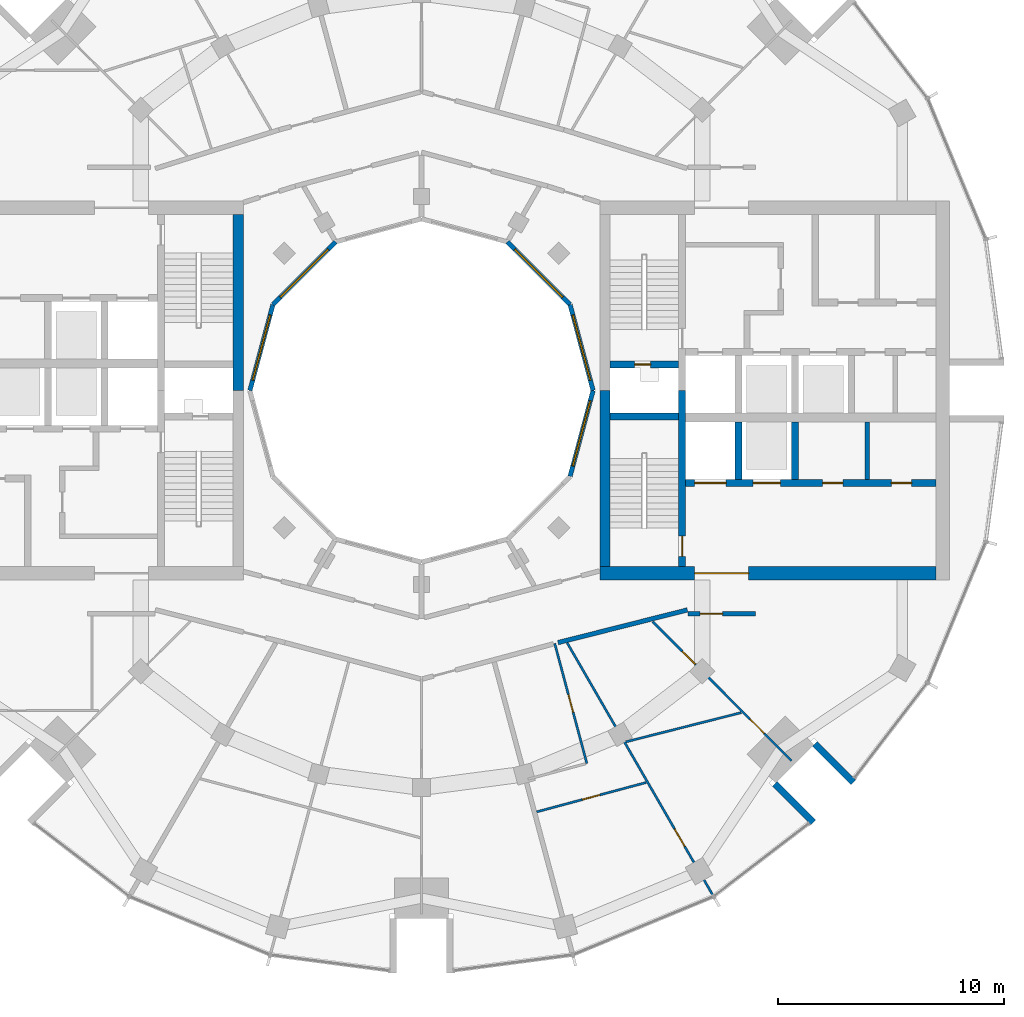
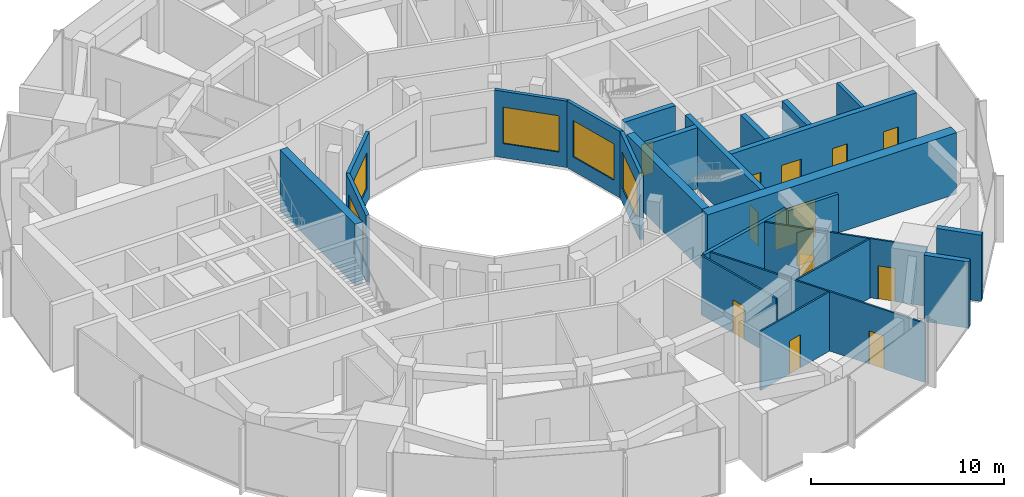
# One storey, part 10 of 15: 24 walls, 13 doors, 5 windows, 18 openings.
"""IFC4 building model written with IfcOpenShell, lengths in metres."""

from ifc_helpers import new_model, si_unit, direction, frame, frame_2d, origin, place, context, subcontext, project, spatial, rectangle, extrude, material, layer, layer_set, type_object, element, fill, save


model = new_model("IFC4")

# Units and contexts
model_context = context("Model", 3, precision=1e-05, world=origin(), true_north=direction((0.0, 1.0)))
body_context = subcontext(model_context, "Body", "Model", "MODEL_VIEW")
ifc_project = project(units=[si_unit("LENGTHUNIT", "METRE"), si_unit("AREAUNIT", "SQUARE_METRE"), si_unit("VOLUMEUNIT", "CUBIC_METRE"), si_unit("PLANEANGLEUNIT", "RADIAN"), si_unit("MASSUNIT", "GRAM", prefix="KILO")], contexts=[model_context])

# Site, building, storey
site_placement = place(None, origin())
site = spatial("IfcSite", under=ifc_project, at=site_placement, CompositionType="ELEMENT")
building_placement = place(site_placement, origin())
building = spatial("IfcBuilding", under=site, at=building_placement, Name="Torre Brocal", CompositionType="ELEMENT")
storey_placement = place(building_placement, frame((0.0, 0.0, 241.5)))
storey = spatial("IfcBuildingStorey", under=building, at=storey_placement, Name="L55", CompositionType="ELEMENT", Elevation=241.5)

# Wall
ifc_material_1 = material(Name="Masonry block", Category="masonry")
ifc_layer_1 = layer(ifc_material_1, 0.199951171875)
ifc_layer_set_1 = layer_set([ifc_layer_1], Name="Masonry block")
wall_type_1 = type_object("IfcWallType", Name="CORE PARTITION 200", PredefinedType="PARTITIONING", material=ifc_layer_set_1)
wall_1_placement = place(storey_placement, frame((99.75, 71.050048828125, 0.0), z_axis=(0.0, 0.0, 1.0), x_axis=(0.0, 1.0, 0.0)))
element("IfcWall", 1, at=wall_1_placement, inside=storey, type_object=wall_type_1, Name="Wall CP200", PredefinedType="PARTITIONING", context=body_context, shape_type="SweptSolid", body=[
    extrude(rectangle(XDim=2.550048828125, YDim=0.199951171875, at=frame_2d((1.27490234375, 0.0))), origin(), (0.0, 0.0, 1.0), 3.8798828125),
])

# Wall, opening, door
ifc_material_2 = material(Name="Concrete C60", Category="concrete")
ifc_layer_2 = layer(ifc_material_2, 0.300048828125)
ifc_layer_set_2 = layer_set([ifc_layer_2], Name="Concrete C60")
wall_type_2 = type_object("IfcWallType", Name="CORE WALL 300 C60", PredefinedType="SHEAR", material=ifc_layer_set_2)
wall_2_placement = place(storey_placement, frame((91.550048828125, 67.199951171875, 0.0), z_axis=(0.0, 0.0, 1.0), x_axis=(0.0, 1.0, 0.0)))
wall_2 = element("IfcWall", 2, at=wall_2_placement, inside=storey, type_object=wall_type_2, Name="Wall CW300-60", PredefinedType="SHEAR", context=body_context, shape_type="SweptSolid", body=[
    extrude(rectangle(XDim=7.800048828125, YDim=0.300048828125, at=frame_2d((3.89990234375, 0.0))), origin(), (0.0, 0.0, 1.0), 3.8798828125),
])
opening_1_placement = place(wall_2_placement, frame((0.449951171875, 0.0, 0.0)))
opening_1 = element("IfcOpeningElement", 3, at=opening_1_placement, cuts=wall_2, Name="Opening E-D03", PredefinedType="OPENING", context=body_context, shape_type="SweptSolid", body=[
    extrude(rectangle(XDim=0.89990234375, YDim=2.10009765625, at=frame_2d((0.449951171875, 1.050048828125))), frame((0.0, 0.159912109375, 0.0), z_axis=(0.0, -1.0, 0.0), x_axis=(1.0, 0.0, 0.0)), (0.0, 0.0, 1.0), 0.320068359375),
])
ifc_material_3 = material(Name="Steel A653", Category="steel")
door_type_1 = type_object("IfcDoorType", Name="STAIR DOOR FD120 900X2100", OperationType="SINGLE_SWING_RIGHT", PredefinedType="DOOR", material=ifc_material_3)
door_1_placement = place(opening_1_placement, origin())
door_1 = element("IfcDoor", 4, at=door_1_placement, inside=storey, type_object=door_type_1, Name="Door E-D03", OperationType="SINGLE_SWING_LEFT", OverallHeight=2.10009765625, OverallWidth=0.89990234375, PredefinedType="DOOR", context=body_context, shape_type="SweptSolid", body=[
    extrude(rectangle(XDim=0.89990234375, YDim=2.10009765625, at=frame_2d((0.449951171875, 1.050048828125))), frame((0.0, 0.02490234375, 0.0), z_axis=(0.0, -1.0, 0.0), x_axis=(1.0, 0.0, 0.0)), (0.0, 0.0, 1.0), 0.050048828125),
])
fill(opening_1, door_1)

wall_3_placement = place(storey_placement, frame((88.35009765625, 76.14990234375, 0.0), z_axis=(0.0, 0.0, 1.0), x_axis=(1.0, 0.0, 0.0)))
wall_3 = element("IfcWall", 5, at=wall_3_placement, inside=storey, type_object=wall_type_2, Name="Wall CW300-60", PredefinedType="SHEAR", context=body_context, shape_type="SweptSolid", body=[
    extrude(rectangle(XDim=3.0498046875, YDim=0.300048828125, at=frame_2d((1.52490234375, 0.0))), origin(), (0.0, 0.0, 1.0), 3.8798828125),
])
opening_2_placement = place(wall_3_placement, frame((1.10009765625, 0.0, 0.0)))
opening_2 = element("IfcOpeningElement", 6, at=opening_2_placement, cuts=wall_3, Name="Opening E-D01", PredefinedType="OPENING", context=body_context, shape_type="SweptSolid", body=[
    extrude(rectangle(XDim=0.699951171875, YDim=2.0, at=frame_2d((0.35009765625, 1.0))), frame((0.0, 0.159912109375, 0.0), z_axis=(0.0, -1.0, 0.0), x_axis=(1.0, 0.0, 0.0)), (0.0, 0.0, 1.0), 0.320068359375),
])
ifc_material_4 = material(Name="Steel A653", Category="steel")
door_type_2 = type_object("IfcDoorType", Name="RISER DOOR FD120 700X2000", OperationType="SINGLE_SWING_LEFT", PredefinedType="DOOR", material=ifc_material_4)
door_2_placement = place(opening_2_placement, frame((0.699951171875, 0.0, 0.0), z_axis=(0.0, 0.0, 1.0), x_axis=(-1.0, 0.0, 0.0)))
door_2 = element("IfcDoor", 7, at=door_2_placement, inside=storey, type_object=door_type_2, Name="Door E-D01", OperationType="SINGLE_SWING_RIGHT", OverallHeight=2.0, OverallWidth=0.699951171875, PredefinedType="DOOR", context=body_context, shape_type="SweptSolid", body=[
    extrude(rectangle(XDim=0.699951171875, YDim=2.0, at=frame_2d((0.35009765625, 1.0))), frame((0.0, 0.02490234375, 0.0), z_axis=(0.0, -1.0, 0.0), x_axis=(1.0, 0.0, 0.0)), (0.0, 0.0, 1.0), 0.050048828125),
])
fill(opening_2, door_2)

# Wall
wall_4_placement = place(storey_placement, frame((88.35009765625, 73.85009765625, 0.0), z_axis=(0.0, 0.0, 1.0), x_axis=(1.0, 0.0, 0.0)))
element("IfcWall", 8, at=wall_4_placement, inside=storey, type_object=wall_type_2, Name="Wall CW300-60", PredefinedType="SHEAR", context=body_context, shape_type="SweptSolid", body=[
    extrude(rectangle(XDim=3.0498046875, YDim=0.300048828125, at=frame_2d((1.52490234375, 0.0))), origin(), (0.0, 0.0, 1.0), 3.8798828125),
])

# Wall, openings, doors
wall_5_placement = place(storey_placement, frame((91.699951171875, 70.89990234375, 0.0), z_axis=(0.0, 0.0, 1.0), x_axis=(1.0, 0.0, 0.0)))
wall_5 = element("IfcWall", 9, at=wall_5_placement, inside=storey, type_object=wall_type_2, Name="Wall CW300-60", PredefinedType="SHEAR", context=body_context, shape_type="SweptSolid", body=[
    extrude(rectangle(XDim=11.10009765625, YDim=0.300048828125, at=frame_2d((5.550048828125, 0.0))), origin(), (0.0, 0.0, 1.0), 3.8798828125),
])
opening_3_placement = place(wall_5_placement, frame((0.39990234375, 0.0, 0.0)))
opening_3 = element("IfcOpeningElement", 10, at=opening_3_placement, cuts=wall_5, Name="Opening LD14", PredefinedType="OPENING", context=body_context, shape_type="SweptSolid", body=[
    extrude(rectangle(XDim=1.39990234375, YDim=2.10009765625, at=frame_2d((0.699951171875, 1.050048828125))), frame((0.0, 0.159912109375, 0.0), z_axis=(0.0, -1.0, 0.0), x_axis=(1.0, 0.0, 0.0)), (0.0, 0.0, 1.0), 0.320068359375),
])
opening_4_placement = place(wall_5_placement, frame((3.0, 0.0, 0.0)))
opening_4 = element("IfcOpeningElement", 11, at=opening_4_placement, cuts=wall_5, Name="Opening LD12", PredefinedType="OPENING", context=body_context, shape_type="SweptSolid", body=[
    extrude(rectangle(XDim=1.199951171875, YDim=2.10009765625, at=frame_2d((0.60009765625, 1.050048828125))), frame((0.0, 0.159912109375, 0.0), z_axis=(0.0, -1.0, 0.0), x_axis=(1.0, 0.0, 0.0)), (0.0, 0.0, 1.0), 0.320068359375),
])
opening_5_placement = place(wall_5_placement, frame((6.074951171875, 0.0, 0.0)))
opening_5 = element("IfcOpeningElement", 12, at=opening_5_placement, cuts=wall_5, Name="Opening E-D06", PredefinedType="OPENING", context=body_context, shape_type="SweptSolid", body=[
    extrude(rectangle(XDim=0.89990234375, YDim=2.10009765625, at=frame_2d((0.449951171875, 1.050048828125))), frame((0.0, 0.159912109375, 0.0), z_axis=(0.0, -1.0, 0.0), x_axis=(1.0, 0.0, 0.0)), (0.0, 0.0, 1.0), 0.320068359375),
])
opening_6_placement = place(wall_5_placement, frame((9.125, 0.0, 0.0)))
opening_6 = element("IfcOpeningElement", 13, at=opening_6_placement, cuts=wall_5, Name="Opening E-D07", PredefinedType="OPENING", context=body_context, shape_type="SweptSolid", body=[
    extrude(rectangle(XDim=0.89990234375, YDim=2.10009765625, at=frame_2d((0.449951171875, 1.050048828125))), frame((0.0, 0.159912109375, 0.0), z_axis=(0.0, -1.0, 0.0), x_axis=(1.0, 0.0, 0.0)), (0.0, 0.0, 1.0), 0.320068359375),
])
ifc_material_5 = material(Name="Stainless steel AISI 316", Category="steel")
door_type_3 = type_object("IfcDoorType", Name="LIFT LANDING DOOR 1200X2100", OperationType="DOUBLE_DOOR_SLIDING", PredefinedType="DOOR", material=ifc_material_5)
door_3_placement = place(opening_4_placement, origin())
door_3 = element("IfcDoor", 14, at=door_3_placement, inside=storey, type_object=door_type_3, Name="Door LD12", OperationType="DOUBLE_DOOR_SLIDING", OverallHeight=2.10009765625, OverallWidth=1.199951171875, PredefinedType="DOOR", context=body_context, shape_type="SweptSolid", body=[
    extrude(rectangle(XDim=1.199951171875, YDim=2.10009765625, at=frame_2d((0.60009765625, 1.050048828125))), frame((0.0, 0.02490234375, 0.0), z_axis=(0.0, -1.0, 0.0), x_axis=(1.0, 0.0, 0.0)), (0.0, 0.0, 1.0), 0.050048828125),
])
fill(opening_4, door_3)
ifc_material_6 = material(Name="Stainless steel AISI 316", Category="steel")
door_type_4 = type_object("IfcDoorType", Name="LIFT LANDING DOOR 1400X2100", OperationType="DOUBLE_DOOR_SLIDING", PredefinedType="DOOR", material=ifc_material_6)
door_4_placement = place(opening_3_placement, origin())
door_4 = element("IfcDoor", 15, at=door_4_placement, inside=storey, type_object=door_type_4, Name="Door LD14", OperationType="DOUBLE_DOOR_SLIDING", OverallHeight=2.10009765625, OverallWidth=1.39990234375, PredefinedType="DOOR", context=body_context, shape_type="SweptSolid", body=[
    extrude(rectangle(XDim=1.39990234375, YDim=2.10009765625, at=frame_2d((0.699951171875, 1.050048828125))), frame((0.0, 0.02490234375, 0.0), z_axis=(0.0, -1.0, 0.0), x_axis=(1.0, 0.0, 0.0)), (0.0, 0.0, 1.0), 0.050048828125),
])
fill(opening_3, door_4)
ifc_material_7 = material(Name="Steel A653", Category="steel")
door_type_5 = type_object("IfcDoorType", Name="ROOM DOOR FD30S 900X2100", OperationType="SINGLE_SWING_LEFT", PredefinedType="DOOR", material=ifc_material_7)
door_5_placement = place(opening_5_placement, origin())
door_5 = element("IfcDoor", 16, at=door_5_placement, inside=storey, type_object=door_type_5, Name="Door E-D06", OperationType="SINGLE_SWING_RIGHT", OverallHeight=2.10009765625, OverallWidth=0.89990234375, PredefinedType="DOOR", context=body_context, shape_type="SweptSolid", body=[
    extrude(rectangle(XDim=0.89990234375, YDim=2.10009765625, at=frame_2d((0.449951171875, 1.050048828125))), frame((0.0, 0.02490234375, 0.0), z_axis=(0.0, -1.0, 0.0), x_axis=(1.0, 0.0, 0.0)), (0.0, 0.0, 1.0), 0.050048828125),
])
fill(opening_5, door_5)
door_6_placement = place(opening_6_placement, origin())
door_6 = element("IfcDoor", 17, at=door_6_placement, inside=storey, type_object=door_type_5, Name="Door E-D07", OperationType="SINGLE_SWING_LEFT", OverallHeight=2.10009765625, OverallWidth=0.89990234375, PredefinedType="DOOR", context=body_context, shape_type="SweptSolid", body=[
    extrude(rectangle(XDim=0.89990234375, YDim=2.10009765625, at=frame_2d((0.449951171875, 1.050048828125))), frame((0.0, 0.02490234375, 0.0), z_axis=(0.0, -1.0, 0.0), x_axis=(1.0, 0.0, 0.0)), (0.0, 0.0, 1.0), 0.050048828125),
])
fill(opening_6, door_6)

# Walls
for number, where, z_axis, x_axis, name in (
    (18, (94.050048828125, 71.050048828125, 0.0), (0.0, 0.0, 1.0), (0.0, 1.0, 0.0), "Wall CW300-60"),
    (19, (96.550048828125, 71.050048828125, 0.0), (0.0, 0.0, 1.0), (0.0, 1.0, 0.0), "Wall CW300-60"),
):
    element("IfcWall", number, at=place(storey_placement, frame(where, z_axis=z_axis, x_axis=x_axis)), inside=storey, type_object=wall_type_2, Name=name, PredefinedType="SHEAR", context=body_context, shape_type="SweptSolid", body=[
        extrude(rectangle(XDim=2.550048828125, YDim=0.300048828125, at=frame_2d((1.27490234375, 0.0))), origin(), (0.0, 0.0, 1.0), 3.8798828125),
    ])
ifc_material_8 = material(Name="Concrete C60", Category="concrete")
ifc_layer_3 = layer(ifc_material_8, 0.449951171875)
ifc_layer_set_3 = layer_set([ifc_layer_3], Name="Concrete C60")
wall_type_3 = type_object("IfcWallType", Name="CORE WALL 450 C60", PredefinedType="SHEAR", material=ifc_layer_set_3)
for number, where, z_axis, x_axis, name in (
    (20, (88.125, 67.199951171875, 0.0), (0.0, 0.0, 1.0), (0.0, 1.0, 0.0), "Wall CW450-60"),
    (21, (71.875, 82.800048828125, 0.0), (0.0, 0.0, 1.0), (0.0, -1.0, 0.0), "Wall CW450-60"),
):
    element("IfcWall", number, at=place(storey_placement, frame(where, z_axis=z_axis, x_axis=x_axis)), inside=storey, type_object=wall_type_3, Name=name, PredefinedType="SHEAR", context=body_context, shape_type="SweptSolid", body=[
        extrude(rectangle(XDim=7.800048828125, YDim=0.449951171875, at=frame_2d((3.89990234375, 0.0))), origin(), (0.0, 0.0, 1.0), 3.8798828125),
    ])

# Wall, opening, door
ifc_material_9 = material(Name="Concrete C60", Category="concrete")
ifc_layer_4 = layer(ifc_material_9, 0.60009765625)
ifc_layer_set_4 = layer_set([ifc_layer_4], Name="Concrete C60")
wall_type_4 = type_object("IfcWallType", Name="CORE WALL 600 C60", PredefinedType="SHEAR", material=ifc_layer_set_4)
wall_6_placement = place(storey_placement, frame((87.89990234375, 66.89990234375, 0.0), z_axis=(0.0, 0.0, 1.0), x_axis=(1.0, 0.0, 0.0)))
wall_6 = element("IfcWall", 22, at=wall_6_placement, inside=storey, type_object=wall_type_4, Name="Wall CW600-60", PredefinedType="SHEAR", context=body_context, shape_type="SweptSolid", body=[
    extrude(rectangle(XDim=14.900146484375, YDim=0.60009765625, at=frame_2d((7.4501953125, 0.0))), origin(), (0.0, 0.0, 1.0), 3.8798828125),
])
opening_7_placement = place(wall_6_placement, frame((4.199951171875, 0.0, 0.0)))
opening_7 = element("IfcOpeningElement", 23, at=opening_7_placement, cuts=wall_6, Name="Opening E-D12", PredefinedType="OPENING", context=body_context, shape_type="SweptSolid", body=[
    extrude(rectangle(XDim=2.39990234375, YDim=2.39990234375, at=frame_2d((1.199951171875, 1.199951171875))), frame((0.0, 0.31005859375, 0.0), z_axis=(0.0, -1.0, 0.0), x_axis=(1.0, 0.0, 0.0)), (0.0, 0.0, 1.0), 0.6201171875),
])
ifc_material_10 = material(Name="Steel A653", Category="steel")
door_type_6 = type_object("IfcDoorType", Name="DOUBLE FIRE DOOR FD90 2400X2400", OperationType="DOUBLE_DOOR_SINGLE_SWING", PredefinedType="DOOR", material=ifc_material_10)
door_7_placement = place(opening_7_placement, origin())
door_7 = element("IfcDoor", 24, at=door_7_placement, inside=storey, type_object=door_type_6, Name="Door E-D12", OperationType="DOUBLE_DOOR_SINGLE_SWING", OverallHeight=2.39990234375, OverallWidth=2.39990234375, PredefinedType="DOOR", context=body_context, shape_type="SweptSolid", body=[
    extrude(rectangle(XDim=2.39990234375, YDim=2.39990234375, at=frame_2d((1.199951171875, 1.199951171875))), frame((0.0, 0.02490234375, 0.0), z_axis=(0.0, -1.0, 0.0), x_axis=(1.0, 0.0, 0.0)), (0.0, 0.0, 1.0), 0.050048828125),
])
fill(opening_7, door_7)

# Walls
ifc_material_11 = material(Name="Concrete C60", Category="concrete")
ifc_layer_5 = layer(ifc_material_11, 0.300048828125)
ifc_layer_set_5 = layer_set([ifc_layer_5], Name="Concrete C60")
wall_type_5 = type_object("IfcWallType", Name="NOTCH RETURN WALL 300 C60", PredefinedType="NOTDEFINED", material=ifc_layer_set_5)
for number, where, z_axis, x_axis, name in (
    (25, (95.662353515625, 57.56982421875, 0.0), (0.0, 0.0, 1.0), (0.707106781187, -0.707106781187, 0.0), "NOTCH RETURN WALL"),
    (26, (97.43017578125, 59.337646484375, 0.0), (0.0, 0.0, 1.0), (0.707106781187, -0.707106781187, 0.0), "NOTCH RETURN WALL"),
):
    element("IfcWall", number, at=place(storey_placement, frame(where, z_axis=z_axis, x_axis=x_axis)), inside=storey, type_object=wall_type_5, Name=name, PredefinedType="NOTDEFINED", context=body_context, shape_type="SweptSolid", body=[
        extrude(rectangle(XDim=2.415771484375, YDim=0.300048828125, at=frame_2d((1.2080078125, 0.0))), origin(), (0.0, 0.0, 1.0), 4.199951171875),
    ])

# Wall, opening, door
ifc_material_12 = material(Name="Gypsum board", Category="Gypsum")
ifc_layer_6 = layer(ifc_material_12, 0.10009765625)
ifc_layer_set_6 = layer_set([ifc_layer_6], Name="Gypsum board")
wall_type_6 = type_object("IfcWallType", Name="PARTITION 100", PredefinedType="PARTITIONING", material=ifc_layer_set_6)
wall_7_placement = place(storey_placement, frame((85.107666015625, 56.325927734375, 0.0), z_axis=(0.0, 0.0, 1.0), x_axis=(0.965911122806, 0.258873913014, 0.0)))
wall_7 = element("IfcWall", 27, at=wall_7_placement, inside=storey, type_object=wall_type_6, Name="BATHROOM WALL", PredefinedType="PARTITIONING", context=body_context, shape_type="SweptSolid", body=[
    extrude(rectangle(XDim=5.017333984375, YDim=0.10009765625, at=frame_2d((2.5087890625, 0.0))), origin(), (0.0, 0.0, 1.0), 3.75),
])
opening_8_placement = place(wall_7_placement, frame((2.093994140625, 0.0, 0.0)))
opening_8 = element("IfcOpeningElement", 28, at=opening_8_placement, cuts=wall_7, Name="Opening B03-D26", PredefinedType="OPENING", context=body_context, shape_type="SweptSolid", body=[
    extrude(rectangle(XDim=0.800048828125, YDim=2.10009765625, at=frame_2d((0.39990234375, 1.050048828125))), frame((0.0, 0.06005859375, 0.0), z_axis=(0.0, -1.0, 0.0), x_axis=(1.0, 0.0, 0.0)), (0.0, 0.0, 1.0), 0.1201171875),
])
ifc_material_13 = material(Name="Timber", Category="wood")
door_type_7 = type_object("IfcDoorType", Name="BATHROOM DOOR 800X2100", OperationType="SINGLE_SWING_LEFT", PredefinedType="DOOR", material=ifc_material_13)
door_8_placement = place(opening_8_placement, frame((0.800048828125, 0.0, 0.0), z_axis=(0.0, 0.0, 1.0), x_axis=(-1.0, 0.0, 0.0)))
door_8 = element("IfcDoor", 29, at=door_8_placement, inside=storey, type_object=door_type_7, Name="B03-D26", OperationType="SINGLE_SWING_RIGHT", OverallHeight=2.10009765625, OverallWidth=0.800048828125, PredefinedType="DOOR", context=body_context, shape_type="SweptSolid", body=[
    extrude(rectangle(XDim=0.800048828125, YDim=2.10009765625, at=frame_2d((0.39990234375, 1.050048828125))), frame((0.0, 0.02490234375, 0.0), z_axis=(0.0, -1.0, 0.0), x_axis=(1.0, 0.0, 0.0)), (0.0, 0.0, 1.0), 0.050048828125),
])
fill(opening_8, door_8)

wall_8_placement = place(storey_placement, frame((85.904052734375, 63.785888671875, 0.0), z_axis=(0.0, 0.0, 1.0), x_axis=(0.258855888267, -0.96591595344, 0.0)))
wall_8 = element("IfcWall", 30, at=wall_8_placement, inside=storey, type_object=wall_type_6, Name="BATHROOM WALL", PredefinedType="PARTITIONING", context=body_context, shape_type="SweptSolid", body=[
    extrude(rectangle(XDim=5.50048828125, YDim=0.10009765625, at=frame_2d((2.750244140625, 0.0))), origin(), (0.0, 0.0, 1.0), 3.75),
])
opening_9_placement = place(wall_8_placement, frame((2.350341796875, 0.0, 0.0)))
opening_9 = element("IfcOpeningElement", 31, at=opening_9_placement, cuts=wall_8, Name="Opening B03-D25", PredefinedType="OPENING", context=body_context, shape_type="SweptSolid", body=[
    extrude(rectangle(XDim=0.800048828125, YDim=2.10009765625, at=frame_2d((0.39990234375, 1.050048828125))), frame((0.0, 0.06005859375, 0.0), z_axis=(0.0, -1.0, 0.0), x_axis=(1.0, 0.0, 0.0)), (0.0, 0.0, 1.0), 0.1201171875),
])
door_9_placement = place(opening_9_placement, frame((0.800048828125, 0.0, 0.0), z_axis=(0.0, 0.0, 1.0), x_axis=(-1.0, 0.0, 0.0)))
door_9 = element("IfcDoor", 32, at=door_9_placement, inside=storey, type_object=door_type_7, Name="B03-D25", OperationType="SINGLE_SWING_LEFT", OverallHeight=2.10009765625, OverallWidth=0.800048828125, PredefinedType="DOOR", context=body_context, shape_type="SweptSolid", body=[
    extrude(rectangle(XDim=0.800048828125, YDim=2.10009765625, at=frame_2d((0.39990234375, 1.050048828125))), frame((0.0, 0.02490234375, 0.0), z_axis=(0.0, -1.0, 0.0), x_axis=(1.0, 0.0, 0.0)), (0.0, 0.0, 1.0), 0.050048828125),
])
fill(opening_9, door_9)

wall_9_placement = place(storey_placement, frame((86.454345703125, 63.81787109375, 0.0), z_axis=(0.0, 0.0, 1.0), x_axis=(0.499914882008, -0.866074541103, 0.0)))
wall_9 = element("IfcWall", 33, at=wall_9_placement, inside=storey, type_object=wall_type_6, Name="BATHROOM WALL", PredefinedType="PARTITIONING", context=body_context, shape_type="SweptSolid", body=[
    extrude(rectangle(XDim=12.886474609375, YDim=0.10009765625, at=frame_2d((6.443359375, 0.0))), origin(), (0.0, 0.0, 1.0), 3.75),
])
opening_10_placement = place(wall_9_placement, frame((9.523681640625, 0.0, 0.0)))
opening_10 = element("IfcOpeningElement", 34, at=opening_10_placement, cuts=wall_9, Name="Opening B03-D24", PredefinedType="OPENING", context=body_context, shape_type="SweptSolid", body=[
    extrude(rectangle(XDim=0.89990234375, YDim=2.10009765625, at=frame_2d((0.449951171875, 1.050048828125))), frame((0.0, 0.06005859375, 0.0), z_axis=(0.0, -1.0, 0.0), x_axis=(1.0, 0.0, 0.0)), (0.0, 0.0, 1.0), 0.1201171875),
])
ifc_material_14 = material(Name="Timber", Category="wood")
door_type_8 = type_object("IfcDoorType", Name="ROOM DOOR 900X2100", OperationType="SINGLE_SWING_LEFT", PredefinedType="DOOR", material=ifc_material_14)
door_10_placement = place(opening_10_placement, origin())
door_10 = element("IfcDoor", 35, at=door_10_placement, inside=storey, type_object=door_type_8, Name="B03-D24", OperationType="SINGLE_SWING_RIGHT", OverallHeight=2.10009765625, OverallWidth=0.89990234375, PredefinedType="DOOR", context=body_context, shape_type="SweptSolid", body=[
    extrude(rectangle(XDim=0.89990234375, YDim=2.10009765625, at=frame_2d((0.449951171875, 1.050048828125))), frame((0.0, 0.02490234375, 0.0), z_axis=(0.0, -1.0, 0.0), x_axis=(1.0, 0.0, 0.0)), (0.0, 0.0, 1.0), 0.050048828125),
])
fill(opening_10, door_10)

# Wall
wall_10_placement = place(storey_placement, frame((89.0576171875, 59.4287109375, 0.0), z_axis=(0.0, 0.0, 1.0), x_axis=(0.96946321375, 0.2452367778, 0.0)))
element("IfcWall", 36, at=wall_10_placement, inside=storey, type_object=wall_type_6, Name="BATHROOM WALL", PredefinedType="PARTITIONING", context=body_context, shape_type="SweptSolid", body=[
    extrude(rectangle(XDim=5.272216796875, YDim=0.10009765625, at=frame_2d((2.63623046875, 0.0))), origin(), (0.0, 0.0, 1.0), 3.75),
])

# Wall, openings, doors
wall_11_placement = place(storey_placement, frame((90.237060546875, 64.759033203125, 0.0), z_axis=(0.0, 0.0, 1.0), x_axis=(0.706952774706, -0.707260754132, 0.0)))
wall_11 = element("IfcWall", 37, at=wall_11_placement, inside=storey, type_object=wall_type_6, Name="BATHROOM WALL", PredefinedType="PARTITIONING", context=body_context, shape_type="SweptSolid", body=[
    extrude(rectangle(XDim=8.719970703125, YDim=0.10009765625, at=frame_2d((4.35986328125, 0.0))), origin(), (0.0, 0.0, 1.0), 3.75),
])
opening_11_placement = place(wall_11_placement, frame((6.114013671875, 0.0, 0.0)))
opening_11 = element("IfcOpeningElement", 38, at=opening_11_placement, cuts=wall_11, Name="Opening B03-D22", PredefinedType="OPENING", context=body_context, shape_type="SweptSolid", body=[
    extrude(rectangle(XDim=0.89990234375, YDim=2.10009765625, at=frame_2d((0.449951171875, 1.050048828125))), frame((0.0, 0.06005859375, 0.0), z_axis=(0.0, -1.0, 0.0), x_axis=(1.0, 0.0, 0.0)), (0.0, 0.0, 1.0), 0.1201171875),
])
opening_12_placement = place(wall_11_placement, frame((1.872314453125, 0.0, 0.0)))
opening_12 = element("IfcOpeningElement", 39, at=opening_12_placement, cuts=wall_11, Name="Opening B03-D23", PredefinedType="OPENING", context=body_context, shape_type="SweptSolid", body=[
    extrude(rectangle(XDim=0.800048828125, YDim=2.10009765625, at=frame_2d((0.39990234375, 1.050048828125))), frame((0.0, 0.06005859375, 0.0), z_axis=(0.0, -1.0, 0.0), x_axis=(1.0, 0.0, 0.0)), (0.0, 0.0, 1.0), 0.1201171875),
])
door_11_placement = place(opening_12_placement, frame((0.800048828125, 0.0, 0.0), z_axis=(0.0, 0.0, 1.0), x_axis=(-1.0, 0.0, 0.0)))
door_11 = element("IfcDoor", 40, at=door_11_placement, inside=storey, type_object=door_type_7, Name="B03-D23", OperationType="SINGLE_SWING_RIGHT", OverallHeight=2.10009765625, OverallWidth=0.800048828125, PredefinedType="DOOR", context=body_context, shape_type="SweptSolid", body=[
    extrude(rectangle(XDim=0.800048828125, YDim=2.10009765625, at=frame_2d((0.39990234375, 1.050048828125))), frame((0.0, 0.02490234375, 0.0), z_axis=(0.0, -1.0, 0.0), x_axis=(1.0, 0.0, 0.0)), (0.0, 0.0, 1.0), 0.050048828125),
])
fill(opening_12, door_11)
door_12_placement = place(opening_11_placement, origin())
door_12 = element("IfcDoor", 41, at=door_12_placement, inside=storey, type_object=door_type_8, Name="B03-D22", OperationType="SINGLE_SWING_RIGHT", OverallHeight=2.10009765625, OverallWidth=0.89990234375, PredefinedType="DOOR", context=body_context, shape_type="SweptSolid", body=[
    extrude(rectangle(XDim=0.89990234375, YDim=2.10009765625, at=frame_2d((0.449951171875, 1.050048828125))), frame((0.0, 0.02490234375, 0.0), z_axis=(0.0, -1.0, 0.0), x_axis=(1.0, 0.0, 0.0)), (0.0, 0.0, 1.0), 0.050048828125),
])
fill(opening_11, door_12)

# Wall
ifc_material_15 = material(Name="Gypsum board", Category="Gypsum")
ifc_layer_7 = layer(ifc_material_15, 0.199951171875)
ifc_layer_set_7 = layer_set([ifc_layer_7], Name="Gypsum board")
wall_type_7 = type_object("IfcWallType", Name="PARTITION 200 EI60", PredefinedType="PARTITIONING", material=ifc_layer_set_7)
wall_12_placement = place(storey_placement, frame((86.052978515625, 63.826171875, 0.0), z_axis=(0.0, 0.0, 1.0), x_axis=(0.969490004987, 0.245130843083, 0.0)))
element("IfcWall", 42, at=wall_12_placement, inside=storey, type_object=wall_type_7, Name="FLAT ENTRANCE WALL", PredefinedType="PARTITIONING", context=body_context, shape_type="SweptSolid", body=[
    extrude(rectangle(XDim=5.907958984375, YDim=0.199951171875, at=frame_2d((2.9541015625, 0.0))), origin(), (0.0, 0.0, 1.0), 3.75),
])

# Wall, opening, door
wall_13_placement = place(storey_placement, frame((91.800048828125, 65.10009765625, 0.0), z_axis=(0.0, 0.0, 1.0), x_axis=(1.0, 0.0, 0.0)))
wall_13 = element("IfcWall", 43, at=wall_13_placement, inside=storey, type_object=wall_type_7, Name="FLAT ENTRANCE WALL", PredefinedType="PARTITIONING", context=body_context, shape_type="SweptSolid", body=[
    extrude(rectangle(XDim=3.0, YDim=0.199951171875, at=frame_2d((1.5, 0.0))), origin(), (0.0, 0.0, 1.0), 3.75),
])
opening_13_placement = place(wall_13_placement, frame((0.550048828125, 0.0, 0.0)))
opening_13 = element("IfcOpeningElement", 44, at=opening_13_placement, cuts=wall_13, Name="Opening B03-D21", PredefinedType="OPENING", context=body_context, shape_type="SweptSolid", body=[
    extrude(rectangle(XDim=1.0, YDim=2.10009765625, at=frame_2d((0.5, 1.050048828125))), frame((0.0, 0.10986328125, 0.0), z_axis=(0.0, -1.0, 0.0), x_axis=(1.0, 0.0, 0.0)), (0.0, 0.0, 1.0), 0.219970703125),
])
ifc_material_16 = material(Name="Timber", Category="wood")
door_type_9 = type_object("IfcDoorType", Name="FLAT ENTRY DOOR FD30S 1000X2100", OperationType="SINGLE_SWING_RIGHT", PredefinedType="DOOR", material=ifc_material_16)
door_13_placement = place(opening_13_placement, frame((1.0, 0.0, 0.0), z_axis=(0.0, 0.0, 1.0), x_axis=(-1.0, 0.0, 0.0)))
door_13 = element("IfcDoor", 45, at=door_13_placement, inside=storey, type_object=door_type_9, Name="B03-D21", OperationType="SINGLE_SWING_RIGHT", OverallHeight=2.10009765625, OverallWidth=1.0, PredefinedType="DOOR", context=body_context, shape_type="SweptSolid", body=[
    extrude(rectangle(XDim=1.0, YDim=2.10009765625, at=frame_2d((0.5, 1.050048828125))), frame((0.0, 0.02490234375, 0.0), z_axis=(0.0, -1.0, 0.0), x_axis=(1.0, 0.0, 0.0)), (0.0, 0.0, 1.0), 0.050048828125),
])
fill(opening_13, door_13)

# Wall, opening, window
ifc_material_17 = material(Name="Concrete C40", Category="concrete")
ifc_layer_8 = layer(ifc_material_17, 0.199951171875)
ifc_layer_set_8 = layer_set([ifc_layer_8], Name="Concrete C40")
wall_type_8 = type_object("IfcWallType", Name="WELL FACADE WALL 200", PredefinedType="NOTDEFINED", material=ifc_layer_set_8)
wall_14_placement = place(storey_placement, frame((87.603515625, 75.0, 0.0), z_axis=(0.0, 0.0, 1.0), x_axis=(-0.258789828301, 0.965933654434, 0.0)))
wall_14 = element("IfcWall", 46, at=wall_14_placement, inside=storey, type_object=wall_type_8, Name="WELL FACADE WALL", PredefinedType="NOTDEFINED", context=body_context, shape_type="SweptSolid", body=[
    extrude(rectangle(XDim=3.935791015625, YDim=0.199951171875, at=frame_2d((1.9677734375, 0.0))), origin(), (0.0, 0.0, 1.0), 4.199951171875),
])
opening_14_placement = place(wall_14_placement, frame((0.468017578125, 0.0, 0.89990234375)))
opening_14 = element("IfcOpeningElement", 47, at=opening_14_placement, cuts=wall_14, Name="Opening W1", PredefinedType="OPENING", context=body_context, shape_type="SweptSolid", body=[
    extrude(rectangle(XDim=3.0, YDim=2.300048828125, at=frame_2d((1.5, 1.14990234375))), frame((0.0, 0.10986328125, 0.0), z_axis=(0.0, -1.0, 0.0), x_axis=(1.0, 0.0, 0.0)), (0.0, 0.0, 1.0), 0.219970703125),
])
ifc_material_18 = material(Name="Aluminium and glass", Category="aluminium")
window_type = type_object("IfcWindowType", Name="WELL WINDOW 3000X2300", PartitioningType="SINGLE_PANEL", PredefinedType="WINDOW", material=ifc_material_18)
window_1_placement = place(opening_14_placement, origin())
window_1 = element("IfcWindow", 48, at=window_1_placement, inside=storey, type_object=window_type, Name="WELL WINDOW 3000X2300", OverallHeight=2.300048828125, OverallWidth=3.0, PartitioningType="SINGLE_PANEL", PredefinedType="WINDOW", context=body_context, shape_type="SweptSolid", body=[
    extrude(rectangle(XDim=3.0, YDim=2.300048828125, at=frame_2d((1.5, 1.14990234375))), frame((0.0, 0.030029296875, 0.0), z_axis=(0.0, -1.0, 0.0), x_axis=(1.0, 0.0, 0.0)), (0.0, 0.0, 1.0), 0.06005859375),
])
fill(opening_14, window_1)

wall_15_placement = place(storey_placement, frame((86.5849609375, 78.8017578125, 0.0), z_axis=(0.0, 0.0, 1.0), x_axis=(-0.707106781187, 0.707106781187, 0.0)))
wall_15 = element("IfcWall", 49, at=wall_15_placement, inside=storey, type_object=wall_type_8, Name="WELL FACADE WALL", PredefinedType="NOTDEFINED", context=body_context, shape_type="SweptSolid", body=[
    extrude(rectangle(XDim=3.93603515625, YDim=0.199951171875, at=frame_2d((1.968017578125, 0.0))), origin(), (0.0, 0.0, 1.0), 4.199951171875),
])
opening_15_placement = place(wall_15_placement, frame((0.468017578125, 0.0, 0.89990234375)))
opening_15 = element("IfcOpeningElement", 50, at=opening_15_placement, cuts=wall_15, Name="Opening W1", PredefinedType="OPENING", context=body_context, shape_type="SweptSolid", body=[
    extrude(rectangle(XDim=3.0, YDim=2.300048828125, at=frame_2d((1.5, 1.14990234375))), frame((0.0, 0.10986328125, 0.0), z_axis=(0.0, -1.0, 0.0), x_axis=(1.0, 0.0, 0.0)), (0.0, 0.0, 1.0), 0.219970703125),
])
window_2_placement = place(opening_15_placement, origin())
window_2 = element("IfcWindow", 51, at=window_2_placement, inside=storey, type_object=window_type, Name="WELL WINDOW 3000X2300", OverallHeight=2.300048828125, OverallWidth=3.0, PartitioningType="SINGLE_PANEL", PredefinedType="WINDOW", context=body_context, shape_type="SweptSolid", body=[
    extrude(rectangle(XDim=3.0, YDim=2.300048828125, at=frame_2d((1.5, 1.14990234375))), frame((0.0, 0.030029296875, 0.0), z_axis=(0.0, -1.0, 0.0), x_axis=(1.0, 0.0, 0.0)), (0.0, 0.0, 1.0), 0.06005859375),
])
fill(opening_15, window_2)

wall_16_placement = place(storey_placement, frame((76.1982421875, 81.5849609375, 0.0), z_axis=(0.0, 0.0, 1.0), x_axis=(-0.707106781187, -0.707106781187, 0.0)))
wall_16 = element("IfcWall", 52, at=wall_16_placement, inside=storey, type_object=wall_type_8, Name="WELL FACADE WALL", PredefinedType="NOTDEFINED", context=body_context, shape_type="SweptSolid", body=[
    extrude(rectangle(XDim=3.93603515625, YDim=0.199951171875, at=frame_2d((1.968017578125, 0.0))), origin(), (0.0, 0.0, 1.0), 4.199951171875),
])
opening_16_placement = place(wall_16_placement, frame((0.468017578125, 0.0, 0.89990234375)))
opening_16 = element("IfcOpeningElement", 53, at=opening_16_placement, cuts=wall_16, Name="Opening W1", PredefinedType="OPENING", context=body_context, shape_type="SweptSolid", body=[
    extrude(rectangle(XDim=3.0, YDim=2.300048828125, at=frame_2d((1.5, 1.14990234375))), frame((0.0, 0.10986328125, 0.0), z_axis=(0.0, -1.0, 0.0), x_axis=(1.0, 0.0, 0.0)), (0.0, 0.0, 1.0), 0.219970703125),
])
window_3_placement = place(opening_16_placement, origin())
window_3 = element("IfcWindow", 54, at=window_3_placement, inside=storey, type_object=window_type, Name="WELL WINDOW 3000X2300", OverallHeight=2.300048828125, OverallWidth=3.0, PartitioningType="SINGLE_PANEL", PredefinedType="WINDOW", context=body_context, shape_type="SweptSolid", body=[
    extrude(rectangle(XDim=3.0, YDim=2.300048828125, at=frame_2d((1.5, 1.14990234375))), frame((0.0, 0.030029296875, 0.0), z_axis=(0.0, -1.0, 0.0), x_axis=(1.0, 0.0, 0.0)), (0.0, 0.0, 1.0), 0.06005859375),
])
fill(opening_16, window_3)

wall_17_placement = place(storey_placement, frame((73.4150390625, 78.8017578125, 0.0), z_axis=(0.0, 0.0, 1.0), x_axis=(-0.258789828301, -0.965933654434, 0.0)))
wall_17 = element("IfcWall", 55, at=wall_17_placement, inside=storey, type_object=wall_type_8, Name="WELL FACADE WALL", PredefinedType="NOTDEFINED", context=body_context, shape_type="SweptSolid", body=[
    extrude(rectangle(XDim=3.935791015625, YDim=0.199951171875, at=frame_2d((1.9677734375, 0.0))), origin(), (0.0, 0.0, 1.0), 4.199951171875),
])
opening_17_placement = place(wall_17_placement, frame((0.468017578125, 0.0, 0.89990234375)))
opening_17 = element("IfcOpeningElement", 56, at=opening_17_placement, cuts=wall_17, Name="Opening W1", PredefinedType="OPENING", context=body_context, shape_type="SweptSolid", body=[
    extrude(rectangle(XDim=3.0, YDim=2.300048828125, at=frame_2d((1.5, 1.14990234375))), frame((0.0, 0.10986328125, 0.0), z_axis=(0.0, -1.0, 0.0), x_axis=(1.0, 0.0, 0.0)), (0.0, 0.0, 1.0), 0.219970703125),
])
window_4_placement = place(opening_17_placement, origin())
window_4 = element("IfcWindow", 57, at=window_4_placement, inside=storey, type_object=window_type, Name="WELL WINDOW 3000X2300", OverallHeight=2.300048828125, OverallWidth=3.0, PartitioningType="SINGLE_PANEL", PredefinedType="WINDOW", context=body_context, shape_type="SweptSolid", body=[
    extrude(rectangle(XDim=3.0, YDim=2.300048828125, at=frame_2d((1.5, 1.14990234375))), frame((0.0, 0.030029296875, 0.0), z_axis=(0.0, -1.0, 0.0), x_axis=(1.0, 0.0, 0.0)), (0.0, 0.0, 1.0), 0.06005859375),
])
fill(opening_17, window_4)

wall_18_placement = place(storey_placement, frame((86.5849609375, 71.1982421875, 0.0), z_axis=(0.0, 0.0, 1.0), x_axis=(0.258789828301, 0.965933654434, 0.0)))
wall_18 = element("IfcWall", 58, at=wall_18_placement, inside=storey, type_object=wall_type_8, Name="WELL FACADE WALL", PredefinedType="NOTDEFINED", context=body_context, shape_type="SweptSolid", body=[
    extrude(rectangle(XDim=3.935791015625, YDim=0.199951171875, at=frame_2d((1.9677734375, 0.0))), origin(), (0.0, 0.0, 1.0), 4.199951171875),
])
opening_18_placement = place(wall_18_placement, frame((0.468017578125, 0.0, 0.89990234375)))
opening_18 = element("IfcOpeningElement", 59, at=opening_18_placement, cuts=wall_18, Name="Opening W1", PredefinedType="OPENING", context=body_context, shape_type="SweptSolid", body=[
    extrude(rectangle(XDim=3.0, YDim=2.300048828125, at=frame_2d((1.5, 1.14990234375))), frame((0.0, 0.10986328125, 0.0), z_axis=(0.0, -1.0, 0.0), x_axis=(1.0, 0.0, 0.0)), (0.0, 0.0, 1.0), 0.219970703125),
])
window_5_placement = place(opening_18_placement, origin())
window_5 = element("IfcWindow", 60, at=window_5_placement, inside=storey, type_object=window_type, Name="WELL WINDOW 3000X2300", OverallHeight=2.300048828125, OverallWidth=3.0, PartitioningType="SINGLE_PANEL", PredefinedType="WINDOW", context=body_context, shape_type="SweptSolid", body=[
    extrude(rectangle(XDim=3.0, YDim=2.300048828125, at=frame_2d((1.5, 1.14990234375))), frame((0.0, 0.030029296875, 0.0), z_axis=(0.0, -1.0, 0.0), x_axis=(1.0, 0.0, 0.0)), (0.0, 0.0, 1.0), 0.06005859375),
])
fill(opening_18, window_5)

save(model, "model.ifc")
